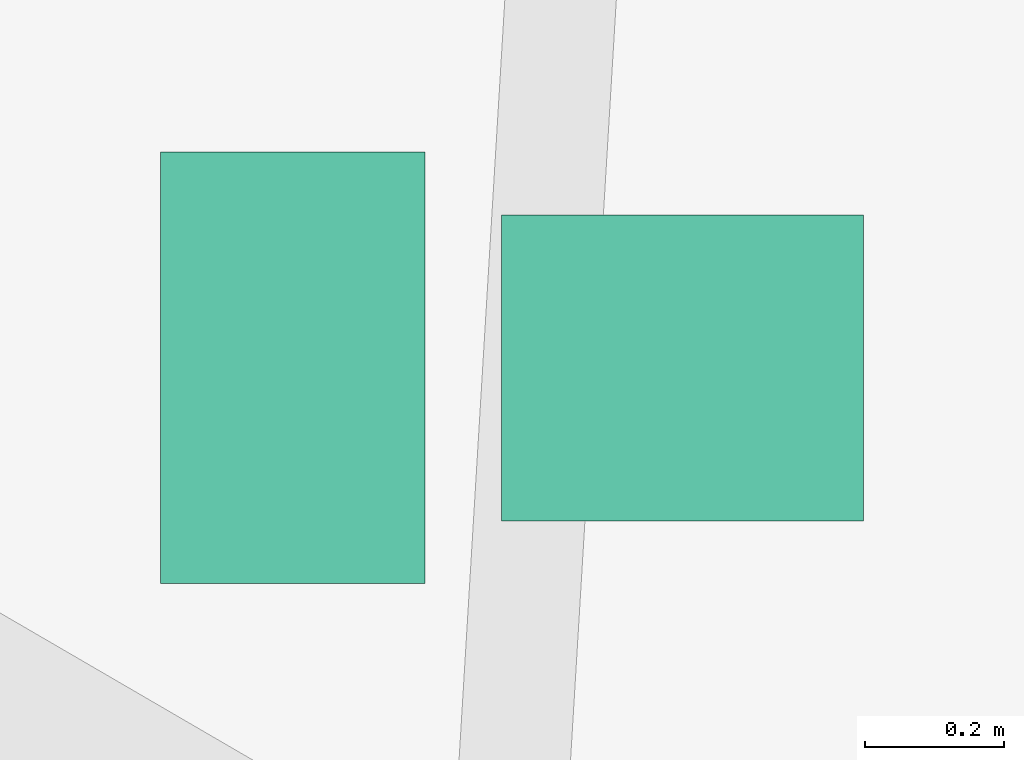
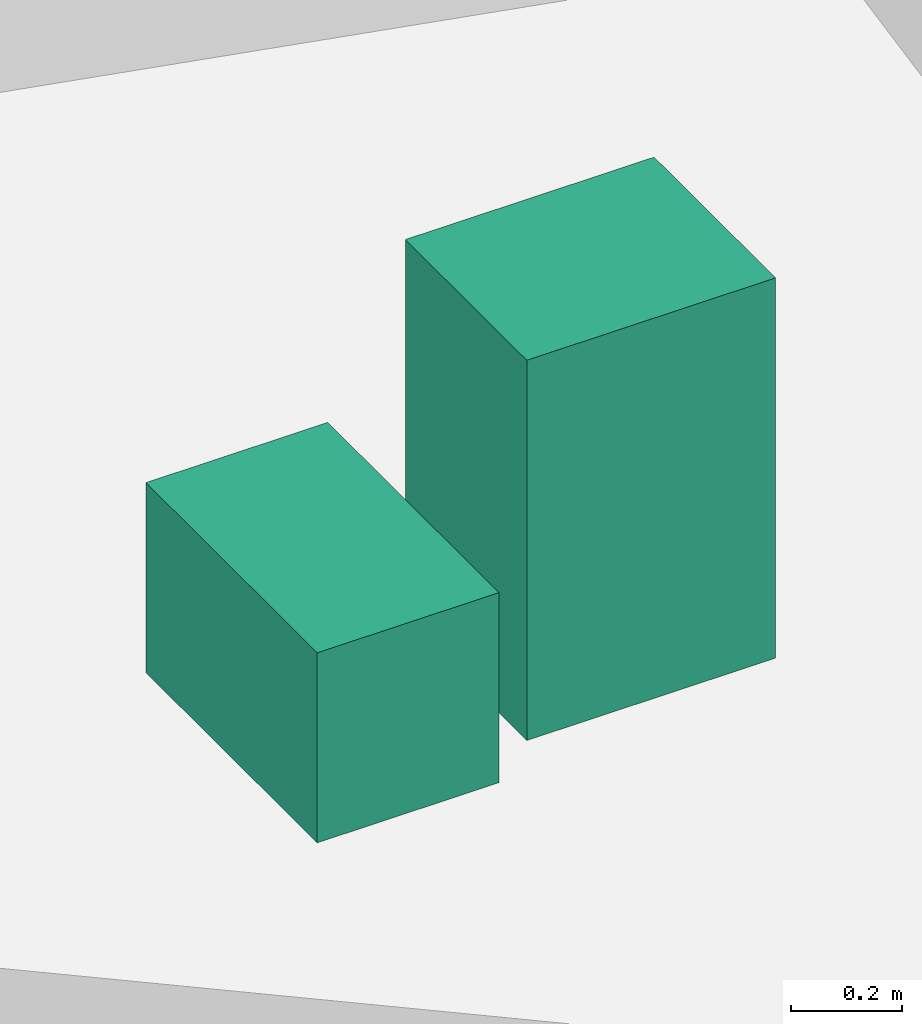
# One storey, part 11 of 11: 2 sanitary terminals.
"""IFC4 building model written with IfcOpenShell, lengths in metres."""

from ifc_helpers import new_model, si_unit, direction, frame, origin, origin_2d, place, context, subcontext, project, spatial, rectangle, extrude, source, transform, mapped, material, type_object, element, save


model = new_model("IFC4")

# Units and contexts
model_context = context("Model", 3, precision=1e-05, world=origin(), true_north=direction((0.0, 1.0)))
body_context = subcontext(model_context, "Body", "Model", "MODEL_VIEW")
ifc_project = project(units=[si_unit("LENGTHUNIT", "METRE"), si_unit("AREAUNIT", "SQUARE_METRE"), si_unit("VOLUMEUNIT", "CUBIC_METRE"), si_unit("PLANEANGLEUNIT", "RADIAN"), si_unit("MASSUNIT", "GRAM", prefix="KILO")], contexts=[model_context])

# Site, building, storey
site_placement = place(None, origin())
site = spatial("IfcSite", under=ifc_project, at=site_placement, CompositionType="ELEMENT")
building_placement = place(site_placement, origin())
building = spatial("IfcBuilding", under=site, at=building_placement, Name="Qafzar Sky-Pleat Residences", CompositionType="ELEMENT")
storey_placement = place(building_placement, frame((0.0, 0.0, 237.199951171875)))
storey = spatial("IfcBuildingStorey", under=building, at=storey_placement, Name="L71", CompositionType="ELEMENT", Elevation=237.199951171875)

# Sanitary terminals
ifc_material = material(Name="Vitreous china sanitaryware")
sanitary_terminal_type_1 = type_object("IfcSanitaryTerminalType", Name="SAN-WC-PAN", PredefinedType="TOILETPAN", material=ifc_material)
shared_shape_1 = source(origin(), body_context, "Body", "SweptSolid", [
    extrude(rectangle(XDim=0.3798828125, YDim=0.6201171875, at=origin_2d()), origin(), (0.0, 0.0, 1.0), 0.419921875),
])
sanitary_terminal_1_placement = place(storey_placement, frame((39.267822265625, 21.529541015625, 0.0), z_axis=(0.0, 0.0, 1.0), x_axis=(1.0, 0.0, 0.0)))
element("IfcSanitaryTerminal", 1, at=sanitary_terminal_1_placement, inside=storey, type_object=sanitary_terminal_type_1, Name="L71 Accessible Shared Washroom WC Pan", PredefinedType="TOILETPAN", context=body_context, shape_type="MappedRepresentation", body=[
    mapped(shared_shape_1, transform((0.0, 0.0, 0.0), x_axis=(1.0, 0.0, 0.0), y_axis=(0.0, 1.0, 0.0), z_axis=(0.0, 0.0, 1.0), scale=1.0)),
])
sanitary_terminal_type_2 = type_object("IfcSanitaryTerminalType", Name="SAN-BASIN", PredefinedType="WASHHANDBASIN", material=ifc_material)
shared_shape_2 = source(origin(), body_context, "Body", "SweptSolid", [
    extrude(rectangle(XDim=0.52001953125, YDim=0.43994140625, at=origin_2d()), origin(), (0.0, 0.0, 1.0), 0.840087890625),
])
sanitary_terminal_2_placement = place(storey_placement, frame((39.827880859375, 21.529541015625, 0.0), z_axis=(0.0, 0.0, 1.0), x_axis=(1.0, 0.0, 0.0)))
element("IfcSanitaryTerminal", 2, at=sanitary_terminal_2_placement, inside=storey, type_object=sanitary_terminal_type_2, Name="L71 Accessible Shared Washroom Pedestal Washbasin", PredefinedType="WASHHANDBASIN", context=body_context, shape_type="MappedRepresentation", body=[
    mapped(shared_shape_2, transform((0.0, 0.0, 0.0), x_axis=(1.0, 0.0, 0.0), y_axis=(0.0, 1.0, 0.0), z_axis=(0.0, 0.0, 1.0), scale=1.0)),
])

save(model, "model.ifc")
